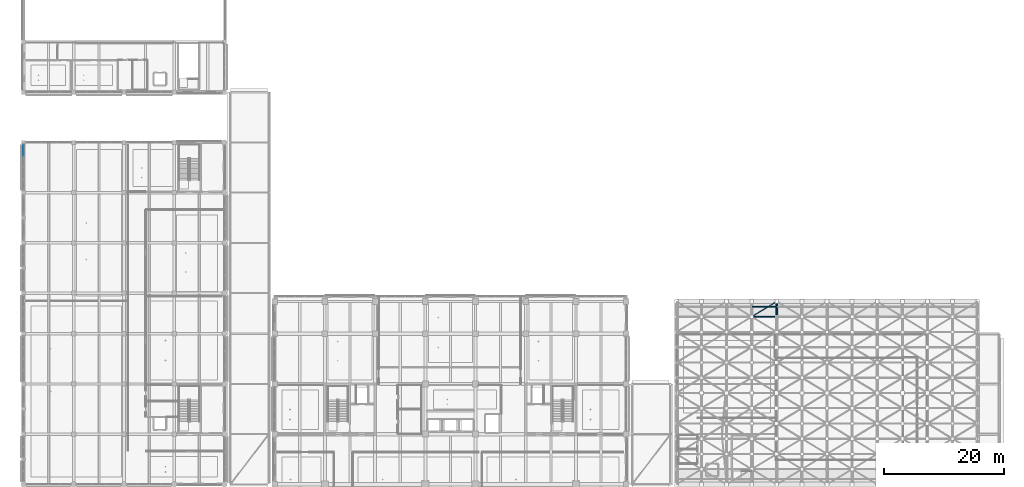
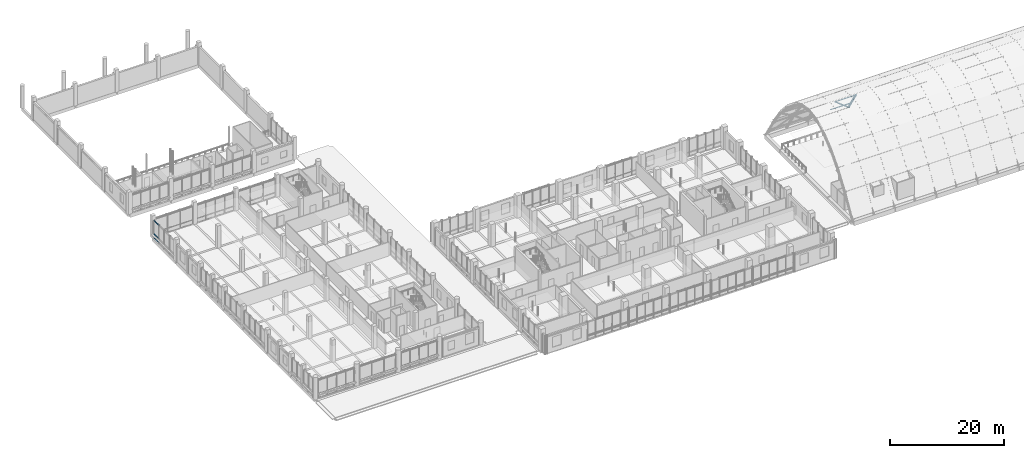
# One storey, part 28 of 128: 6 members, 1 beam, 1 element without a shape of its own.
"""IFC4 building model written with IfcOpenShell, lengths in metres."""

from ifc_helpers import new_model, si_unit, direction, frame, origin, origin_2d, place, context, subcontext, project, spatial, rectangle, hollow_circle, extrude, material, layer, layer_set, material_profile, profile_set, type_object, element, aggregate, save


model = new_model("IFC4")

# Units and contexts
model_context = context("Model", 3, precision=1e-05, world=origin(), true_north=direction((0.0, 1.0)))
body_context = subcontext(model_context, "Body", "Model", "MODEL_VIEW")
ifc_project = project(units=[si_unit("LENGTHUNIT", "METRE"), si_unit("AREAUNIT", "SQUARE_METRE"), si_unit("VOLUMEUNIT", "CUBIC_METRE"), si_unit("PLANEANGLEUNIT", "RADIAN"), si_unit("MASSUNIT", "GRAM", prefix="KILO")], contexts=[model_context])

# Site, building, storey
site_placement = place(None, origin())
site = spatial("IfcSite", under=ifc_project, at=site_placement, CompositionType="ELEMENT")
building_placement = place(site_placement, origin())
building = spatial("IfcBuilding", under=site, at=building_placement, Name="Telukmera Botanical Conservatory", CompositionType="ELEMENT")
storey_placement = place(building_placement, frame((0.0, 0.0, 5.39990234375)))
storey = spatial("IfcBuildingStorey", under=building, at=storey_placement, Name="L01", CompositionType="ELEMENT", Elevation=5.39990234375)

# Beam
ifc_material_1 = material(Name="Steel S355", Category="steel")
ifc_material_profile_1 = material_profile(ifc_material_1, hollow_circle(Radius=0.203125, WallThickness=0.01611328125, at=origin_2d()), Name="CHS 406.4x16.0")
ifc_profile_set_1 = profile_set([ifc_material_profile_1], Name="Steel S355")
beam_type = type_object("IfcBeamType", Name="Beam_GA1", PredefinedType="BEAM", material=ifc_profile_set_1)
beam_placement = place(storey_placement, frame((134.39990234375, 45.660400390625, 4.086181640625), z_axis=(0.0, 0.5205024389, -0.853860182406), x_axis=(-1.0, 0.0, 0.0)))
element("IfcBeam", 1, at=beam_placement, inside=storey, type_object=beam_type, Name="Conservatory Gridshell Primary Arch Rib A04-11", PredefinedType="BEAM", context=body_context, shape_type="SweptSolid", body=[
    extrude(hollow_circle(Radius=0.203125, WallThickness=0.01611328125, at=origin_2d()), origin(), (0.0, 0.0, 1.0), 4.879150390625),
])

# Curtain wall, members
ifc_material_2 = material(Name="Anodised aluminium 6063-T6", Category="aluminium")
ifc_layer = layer(ifc_material_2, 0.179931640625)
ifc_layer_set = layer_set([ifc_layer], Name="Anodised aluminium 6063-T6")
curtain_wall_type = type_object("IfcCurtainWallType", Name="Visitor Gallery First Floor Curtain Wall 1800 Mod", PredefinedType="USERDEFINED", material=ifc_layer_set)
curtain_wall_placement = place(storey_placement, origin())
curtain_wall = element("IfcCurtainWall", 2, at=curtain_wall_placement, inside=storey, type_object=curtain_wall_type, Name="Unitised Curtain Wall CW08 V3:L01:W7", ObjectType="UNITISED CURTAIN WALL", PredefinedType="USERDEFINED")
ifc_material_profile_2 = material_profile(ifc_material_2, rectangle(XDim=0.06494140625, YDim=0.1298828125, at=origin_2d()), Name="ALU TRAN 65x130")
ifc_profile_set_2 = profile_set([ifc_material_profile_2], Name="Anodised aluminium 6063-T6")
member_type_1 = type_object("IfcMemberType", Name="Curtain Wall Extruded Transom 65x130", PredefinedType="USERDEFINED", material=ifc_profile_set_2)
member_1_placement = place(storey_placement, frame((8.39990234375, 72.556396484375, 0.065185546875), z_axis=(0.0, 1.0, 0.0), x_axis=(-1.0, 0.0, 0.0)))
member_1 = element("IfcMember", 3, at=member_1_placement, type_object=member_type_1, Name="CW08 transom 4.1", ObjectType="TRANSOM", PredefinedType="USERDEFINED", context=body_context, shape_type="SweptSolid", body=[
    extrude(rectangle(XDim=0.06494140625, YDim=0.1298828125, at=origin_2d()), origin(), (0.0, 0.0, 1.0), 1.82666015625),
])
member_2_placement = place(storey_placement, frame((8.39990234375, 72.556396484375, 0.9501953125), z_axis=(0.0, 1.0, 0.0), x_axis=(-1.0, 0.0, 0.0)))
member_2 = element("IfcMember", 4, at=member_2_placement, type_object=member_type_1, Name="CW08 transom 4.2", ObjectType="TRANSOM", PredefinedType="USERDEFINED", context=body_context, shape_type="SweptSolid", body=[
    extrude(rectangle(XDim=0.06494140625, YDim=0.1298828125, at=origin_2d()), origin(), (0.0, 0.0, 1.0), 1.82666015625),
])
member_3_placement = place(storey_placement, frame((8.39990234375, 72.556396484375, 3.78515625), z_axis=(0.0, 1.0, 0.0), x_axis=(-1.0, 0.0, 0.0)))
member_3 = element("IfcMember", 5, at=member_3_placement, type_object=member_type_1, Name="CW08 transom 4.3", ObjectType="TRANSOM", PredefinedType="USERDEFINED", context=body_context, shape_type="SweptSolid", body=[
    extrude(rectangle(XDim=0.06494140625, YDim=0.1298828125, at=origin_2d()), origin(), (0.0, 0.0, 1.0), 1.82666015625),
])
aggregate(curtain_wall, [member_1, member_2, member_3])

# Members
ifc_material_profile_3 = material_profile(ifc_material_1, hollow_circle(Radius=0.084228515625, WallThickness=0.008056640625, at=origin_2d()), Name="CHS 168.3x8.0")
ifc_profile_set_3 = profile_set([ifc_material_profile_3], Name="Steel S355")
member_type_2 = type_object("IfcMemberType", Name="Mem_GBX1", PredefinedType="USERDEFINED", material=ifc_profile_set_3)
member_4_placement = place(storey_placement, frame((130.209716796875, 45.656005859375, 4.093505859375), z_axis=(0.650865922771, 0.395153697796, -0.648249262008), x_axis=(-0.518963837977, 0.854796194933, 0.0)))
element("IfcMember", 6, at=member_4_placement, inside=storey, type_object=member_type_2, Name="Conservatory Gridshell Diagrid Lacing Rib D03-11", ObjectType="GRIDSHELL_RIB", PredefinedType="USERDEFINED", context=body_context, shape_type="SweptSolid", body=[
    extrude(hollow_circle(Radius=0.084228515625, WallThickness=0.008056640625, at=origin_2d()), origin(), (0.0, 0.0, 1.0), 6.437744140625),
])
ifc_material_profile_4 = material_profile(ifc_material_1, hollow_circle(Radius=0.109619140625, WallThickness=0.010009765625, at=origin_2d()), Name="CHS 219.1x10.0")
ifc_profile_set_4 = profile_set([ifc_material_profile_4], Name="Steel S355")
member_type_3 = type_object("IfcMemberType", Name="Mem_GP1", PredefinedType="PURLIN", material=ifc_profile_set_4)
member_5_placement = place(storey_placement, frame((130.219970703125, 47.3076171875, 1.38427734375), z_axis=(1.0, 0.0, 0.0), x_axis=(0.0, 1.0, 0.0)))
element("IfcMember", 7, at=member_5_placement, inside=storey, type_object=member_type_3, Name="Conservatory Gridshell Longitudinal Rib P03-12", PredefinedType="PURLIN", context=body_context, shape_type="SweptSolid", body=[
    extrude(hollow_circle(Radius=0.109619140625, WallThickness=0.010009765625, at=origin_2d()), origin(), (0.0, 0.0, 1.0), 4.159912109375),
])
ifc_material_profile_5 = material_profile(ifc_material_1, hollow_circle(Radius=0.096923828125, WallThickness=0.008056640625, at=origin_2d()), Name="CHS 193.7x8.0")
ifc_profile_set_5 = profile_set([ifc_material_profile_5], Name="Steel S355")
member_type_4 = type_object("IfcMemberType", Name="Mem_GP2", PredefinedType="PURLIN", material=ifc_profile_set_5)
member_6_placement = place(storey_placement, frame((130.219970703125, 45.64990234375, 4.103271484375), z_axis=(1.0, 0.0, 0.0), x_axis=(0.0, 1.0, 0.0)))
element("IfcMember", 8, at=member_6_placement, inside=storey, type_object=member_type_4, Name="Conservatory Gridshell Longitudinal Rib P03-11", PredefinedType="PURLIN", context=body_context, shape_type="SweptSolid", body=[
    extrude(hollow_circle(Radius=0.096923828125, WallThickness=0.008056640625, at=origin_2d()), origin(), (0.0, 0.0, 1.0), 4.159912109375),
])

save(model, "model.ifc")
